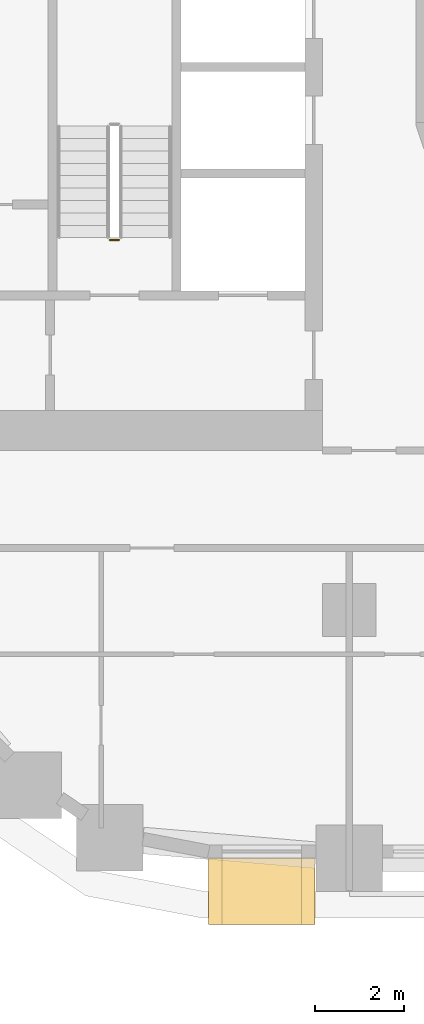
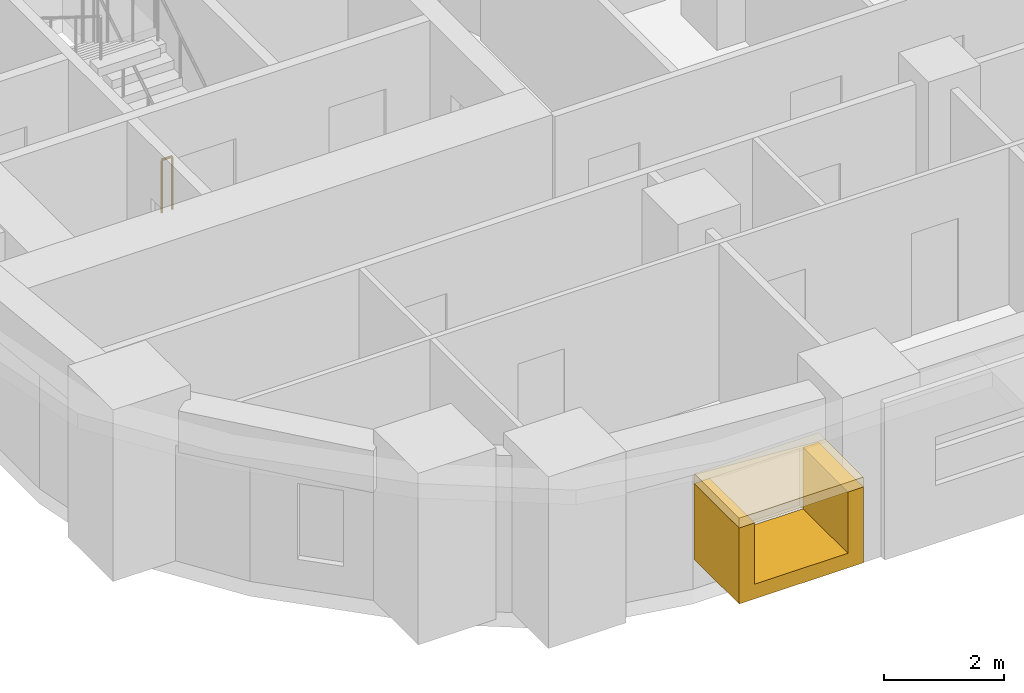
# One storey, part 11 of 22: 2 coverings, 1 railing.
"""IFC4 building model written with IfcOpenShell, lengths in metres."""

from ifc_helpers import new_model, si_unit, direction, frame, origin, origin_2d, place, context, subcontext, project, spatial, polyline, rectangle, circle, outline, extrude, material, layer, layer_set, type_object, element, save


model = new_model("IFC4")

# Units and contexts
model_context = context("Model", 3, precision=1e-05, world=origin(), true_north=direction((0.0, 1.0)))
body_context = subcontext(model_context, "Body", "Model", "MODEL_VIEW")
ifc_project = project(units=[si_unit("LENGTHUNIT", "METRE"), si_unit("AREAUNIT", "SQUARE_METRE"), si_unit("VOLUMEUNIT", "CUBIC_METRE"), si_unit("PLANEANGLEUNIT", "RADIAN"), si_unit("MASSUNIT", "GRAM", prefix="KILO")], contexts=[model_context])

# Site, building, storey
site_placement = place(None, origin())
site = spatial("IfcSite", under=ifc_project, at=site_placement, CompositionType="ELEMENT")
building_placement = place(site_placement, origin())
building = spatial("IfcBuilding", under=site, at=building_placement, Name="Kiln Ring Residences", CompositionType="ELEMENT")
storey_placement = place(building_placement, frame((0.0, 0.0, 44.5)))
storey = spatial("IfcBuildingStorey", under=building, at=storey_placement, Name="L10", CompositionType="ELEMENT", Elevation=44.5)

# Railing
ifc_material_1 = material(Name="Stainless steel", Category="steel")
railing_type = type_object("IfcRailingType", Name="CORE-STAIR-GUARD", PredefinedType="GUARDRAIL", material=ifc_material_1)
railing_placement = place(storey_placement, frame((-22.0, -8.449951171875, 0.0)))
element("IfcRailing", 1, at=railing_placement, inside=storey, type_object=railing_type, Name="L10 W-STS stair guard 4", PredefinedType="GUARDRAIL", context=body_context, shape_type="SweptSolid", body=[
    extrude(circle(Radius=0.02392578125, at=origin_2d()), frame((0.0, 0.0, 1.076171875), z_axis=(-1.0, 0.0, 0.0), x_axis=(0.0, -1.0, 0.0)), (0.0, 0.0, 1.0), 0.199951171875),
    extrude(circle(Radius=0.02099609375, at=origin_2d()), origin(), (0.0, 0.0, 1.0), 1.052001953125),
    extrude(circle(Radius=0.02099609375, at=origin_2d()), frame((-0.199951171875, 0.0, 0.0)), (0.0, 0.0, 1.0), 1.052001953125),
])

# Coverings
ifc_material_2 = material(Name="Brick masonry, dark clay brick", Category="masonry")
ifc_layer_1 = layer(ifc_material_2, 0.300048828125)
ifc_layer_set_1 = layer_set([ifc_layer_1], Name="FRAME CHEEKS AND SILL 1500")
covering_type_1 = type_object("IfcCoveringType", Name="FRAME CHEEKS AND SILL 1500", PredefinedType="CLADDING", material=ifc_layer_set_1)
covering_1_placement = place(storey_placement, frame((-19.97509765625, -23.14990234375, 0.60009765625), z_axis=(0.0, 0.0, 1.0), x_axis=(1.0, 0.0, 0.0)))
element("IfcCovering", 2, at=covering_1_placement, inside=storey, type_object=covering_type_1, Name="FRAME L10", PredefinedType="CLADDING", context=body_context, shape_type="SweptSolid", body=[
    extrude(outline(polyline([(0.0, 0.0), (2.400146484375, 0.0), (2.39990234375, 1.5498046875), (2.10107421875, 1.5498046875), (2.10009765625, 0.2998046875), (0.300048828125, 0.2998046875), (0.299072265625, 1.5498046875), (0.0, 1.5498046875), (0.0, 0.0)])), frame((0.0, 0.75, 0.0), z_axis=(0.0, -1.0, 0.0), x_axis=(1.0, 0.0, 0.0)), (0.0, 0.0, 1.0), 1.5),
])
ifc_material_3 = material(Name="Brick masonry, dark clay brick", Category="masonry")
ifc_layer_2 = layer(ifc_material_3, 0.199951171875)
ifc_layer_set_2 = layer_set([ifc_layer_2], Name="FRAME HEAD 1500")
covering_type_2 = type_object("IfcCoveringType", Name="FRAME HEAD 1500", PredefinedType="CLADDING", material=ifc_layer_set_2)
covering_2_placement = place(storey_placement, frame((-18.77490234375, -23.14990234375, 2.14990234375), z_axis=(0.0, 0.0, 1.0), x_axis=(1.0, 0.0, 0.0)))
element("IfcCovering", 3, at=covering_2_placement, inside=storey, type_object=covering_type_2, Name="FRAME HEAD L10", PredefinedType="CLADDING", context=body_context, shape_type="SweptSolid", body=[
    extrude(rectangle(XDim=2.39990234375, YDim=1.5, at=origin_2d()), origin(), (0.0, 0.0, 1.0), 0.199951171875),
])

save(model, "model.ifc")
